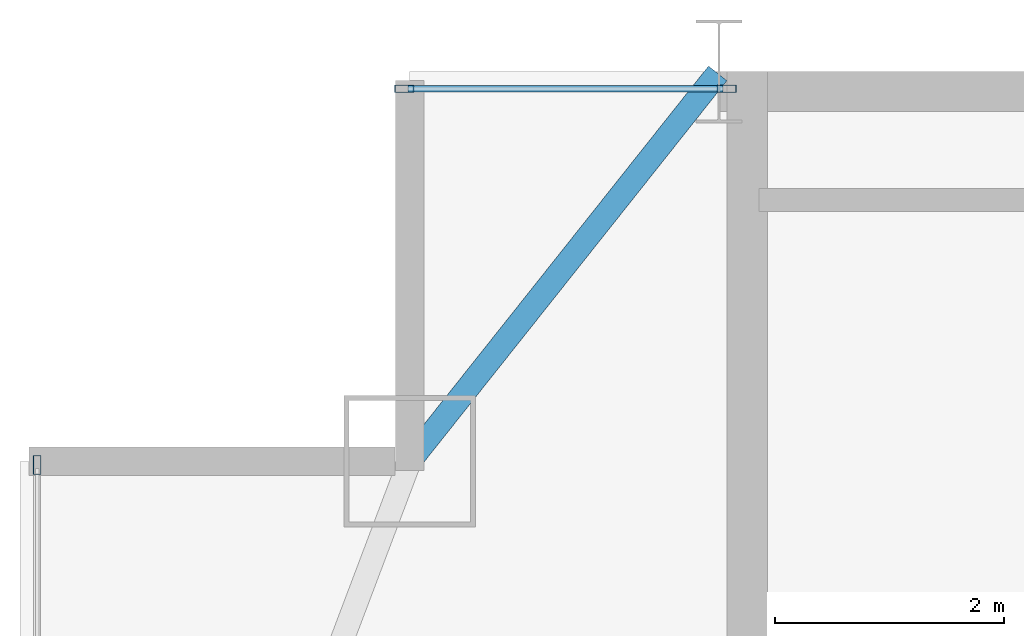
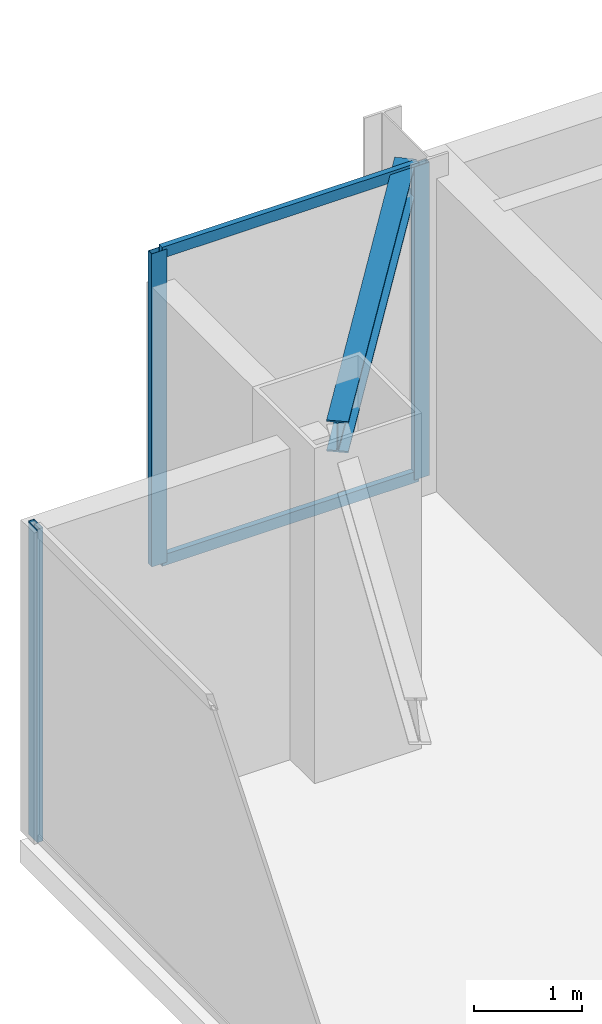
# One storey, part 18 of 27: 5 members, 1 beam, 2 elements without a shape of their own.
"""IFC4 building model written with IfcOpenShell, lengths in metres."""

import ifcopenshell
import ifcopenshell.guid

model = None  # the IFC model being written
_history = None  # IfcOwnerHistory: only IFC2X3 demands one
_inside = {}  # id of a spatial element -> (the spatial element, [elements in it])
_under = {}  # id of a project, library or spatial element -> (it, [spatial elements below it])
_declared = {}  # id of a project -> (the project, [libraries it declares])
_typed = {}  # id of a type object -> (the type object, [elements of that type])
_made_of = {}  # id of a material, layer set ... -> (it, [elements and type objects made of it])


def new_model(schema):
    """Start an empty IFC model of exactly this schema.

    Asked for "IFC4X3", IfcOpenShell would pick the latest addendum, in which some entities
    have other attributes; the version numbers below select the first issue.
    IFC2X3 requires an IfcOwnerHistory on every rooted entity: one is made here for all.
    """
    global model, _history
    if schema == "IFC4X3":
        model = ifcopenshell.file(schema_version=(4, 3, 0, 0))
    else:
        model = ifcopenshell.file(schema=schema)
    _inside.clear()
    _under.clear()
    _declared.clear()
    _typed.clear()
    _made_of.clear()
    _history = None
    if model.schema == "IFC2X3":
        org = make("IfcOrganization", Name="unknown")
        user = make(
            "IfcPersonAndOrganization",
            ThePerson=make("IfcPerson", FamilyName="unknown"),
            TheOrganization=org,
        )
        app = make(
            "IfcApplication",
            ApplicationDeveloper=org,
            Version="unknown",
            ApplicationFullName="unknown",
            ApplicationIdentifier="unknown",
        )
        _history = make(
            "IfcOwnerHistory",
            OwningUser=user,
            OwningApplication=app,
            ChangeAction="ADDED",
            CreationDate=0,
        )
    return model


def make(cls, **values):
    """One entity of the class cls with the attributes given. An attribute that is None is left unset."""
    return model.create_entity(
        cls, **{name: value for name, value in values.items() if value is not None}
    )


def rooted(cls, **values):
    """An entity with a GlobalId (a new one), such as an element, a storey or a relation."""
    return make(cls, GlobalId=ifcopenshell.guid.new(), OwnerHistory=_history, **values)


def si_unit(unit_type, name, prefix=None):
    """IfcSIUnit, for example si_unit("LENGTHUNIT", "METRE", prefix="MILLI")."""
    return make("IfcSIUnit", UnitType=unit_type, Prefix=prefix, Name=name)


def assignment(units):
    """IfcUnitAssignment: the units of a project."""
    return None if units is None else make("IfcUnitAssignment", Units=units)


def point(xyz):
    """IfcCartesianPoint."""
    return None if xyz is None else make("IfcCartesianPoint", Coordinates=xyz)


def direction(xyz):
    """IfcDirection."""
    return None if xyz is None else make("IfcDirection", DirectionRatios=xyz)


def frame(location, z_axis=None, x_axis=None):
    """IfcAxis2Placement3D, a coordinate frame: its origin and axes. An axis left out is left unset."""
    return make(
        "IfcAxis2Placement3D",
        Location=point(location),
        Axis=direction(z_axis),
        RefDirection=direction(x_axis),
    )


def frame_2d(location, x_axis=None):
    """IfcAxis2Placement2D, a coordinate frame in the plane: its origin and x axis."""
    return make(
        "IfcAxis2Placement2D", Location=point(location), RefDirection=direction(x_axis)
    )


def origin():
    """The frame at (0, 0, 0) with its axes left unset."""
    return frame((0.0, 0.0, 0.0))


def origin_2d():
    """The frame at (0, 0) in the plane with its x axis left unset."""
    return frame_2d((0.0, 0.0))


def place(relative_to, where):
    """IfcLocalPlacement: puts the frame where relative to a parent placement (None: the world)."""
    return make(
        "IfcLocalPlacement", PlacementRelTo=relative_to, RelativePlacement=where
    )


def context(
    kind, dimensions, precision=None, world=None, true_north=None, identifier=None
):
    """IfcGeometricRepresentationContext, for example the 3D "Model" context."""
    return make(
        "IfcGeometricRepresentationContext",
        ContextIdentifier=identifier,
        ContextType=kind,
        CoordinateSpaceDimension=dimensions,
        Precision=precision,
        WorldCoordinateSystem=world,
        TrueNorth=true_north,
    )


def subcontext(parent, identifier, kind, view, scale=None):
    """IfcGeometricRepresentationSubContext, for example "Body" below "Model"."""
    return make(
        "IfcGeometricRepresentationSubContext",
        ContextIdentifier=identifier,
        ContextType=kind,
        ParentContext=parent,
        TargetScale=scale,
        TargetView=view,
    )


def project(units=None, contexts=None):
    """IfcProject with its units and contexts."""
    return rooted(
        "IfcProject",
        Name="project",
        RepresentationContexts=contexts,
        UnitsInContext=assignment(units),
    )


def spatial(cls, under=None, at=None, **own):
    """A site, building, storey or space (cls), placed at a placement, below another one or the project."""
    s = rooted(cls, ObjectPlacement=at, **own)
    if under is not None:
        _under.setdefault(under.id(), (under, []))[1].append(s)
    return s


def profile(cls, at=None, kind="AREA", **sizes):
    """A parametric profile (cls). Its sizes go by their IFC names, for example OverallWidth=200.0."""
    return make(cls, ProfileType=kind, Position=at, **sizes)


def hollow_rectangle(**sizes):
    """IfcRectangleHollowProfileDef."""
    return profile("IfcRectangleHollowProfileDef", **sizes)


def i_section(**sizes):
    """IfcIShapeProfileDef."""
    return profile("IfcIShapeProfileDef", **sizes)


def extrude(swept, where, along, depth):
    """IfcExtrudedAreaSolid: the profile swept, set in the frame where, extruded along a direction by depth."""
    return make(
        "IfcExtrudedAreaSolid",
        SweptArea=swept,
        Position=where,
        ExtrudedDirection=direction(along),
        Depth=depth,
    )


def shape(context_of_items, identifier, shape_type, items):
    """IfcShapeRepresentation: the items that make up one representation, for example the "Body"."""
    return make(
        "IfcShapeRepresentation",
        ContextOfItems=context_of_items,
        RepresentationIdentifier=identifier,
        RepresentationType=shape_type,
        Items=items,
    )


def source(mapping_origin, context_of_items, identifier, shape_type, items):
    """IfcRepresentationMap: a shape defined once, which mapped items show again and again."""
    return make(
        "IfcRepresentationMap",
        MappingOrigin=mapping_origin,
        MappedRepresentation=shape(context_of_items, identifier, shape_type, items),
    )


def transform(
    local_origin,
    x_axis=None,
    y_axis=None,
    z_axis=None,
    scale=None,
    scale2=None,
    scale3=None,
    uniform=True,
):
    """IfcCartesianTransformationOperator3D, or its non-uniform kind. x_axis, y_axis, z_axis: its Axis1, 2, 3."""
    if uniform:
        return make(
            "IfcCartesianTransformationOperator3D",
            Axis1=direction(x_axis),
            Axis2=direction(y_axis),
            LocalOrigin=point(local_origin),
            Scale=scale,
            Axis3=direction(z_axis),
        )
    return make(
        "IfcCartesianTransformationOperator3DnonUniform",
        Axis1=direction(x_axis),
        Axis2=direction(y_axis),
        LocalOrigin=point(local_origin),
        Scale=scale,
        Axis3=direction(z_axis),
        Scale2=scale2,
        Scale3=scale3,
    )


def mapped(mapping_source, mapping_target):
    """IfcMappedItem: shows the shape of a source again, moved by a transform."""
    return make(
        "IfcMappedItem", MappingSource=mapping_source, MappingTarget=mapping_target
    )


def material(Name=None, Category=None):
    """IfcMaterial."""
    return make("IfcMaterial", Name=Name, Category=Category)


def layer(
    of_material, thickness, ventilated=None, Name=None, Category=None, Priority=None
):
    """IfcMaterialLayer: one layer of a wall or slab, of a material (None: an air gap)."""
    return make(
        "IfcMaterialLayer",
        Material=of_material,
        LayerThickness=thickness,
        IsVentilated=ventilated,
        Name=Name,
        Category=Category,
        Priority=Priority,
    )


def layer_set(layers, Name=None):
    """IfcMaterialLayerSet."""
    return make("IfcMaterialLayerSet", MaterialLayers=layers, LayerSetName=Name)


def material_profile(
    of_material, cross_section, Name=None, Category=None, Priority=None
):
    """IfcMaterialProfile: a cross section and its material."""
    return make(
        "IfcMaterialProfile",
        Name=Name,
        Material=of_material,
        Profile=cross_section,
        Priority=Priority,
        Category=Category,
    )


def profile_set(profiles, Name=None, composite=None):
    """IfcMaterialProfileSet."""
    return make(
        "IfcMaterialProfileSet",
        Name=Name,
        MaterialProfiles=profiles,
        CompositeProfile=composite,
    )


def made_of(thing, what):
    """Note that an element or type object is made of a material, layer set ...; save() writes the relation."""
    if what is not None:
        _made_of.setdefault(what.id(), (what, []))[1].append(thing)
    return thing


def type_object(cls, material=None, **own):
    """A type object (cls), such as IfcWallType, which elements share."""
    return made_of(rooted(cls, **own), material)


def type_shapes(of_type, sources):
    """Give a type object the sources (RepresentationMaps) that its elements show as mapped items."""
    of_type.RepresentationMaps = sources


def element(
    cls,
    number,
    at=None,
    inside=None,
    cuts=None,
    type_object=None,
    material=None,
    context=None,
    identifier="Body",
    shape_type=None,
    held_by="IfcProductDefinitionShape",
    body=None,
    shapes=None,
    **own,
):
    """One element of the class cls, such as IfcWall. Its Tag is "e" and its number.

    at: its placement. inside: the storey or other place that contains it. cuts: it is an
    opening in that element (IfcRelVoidsElement). A single representation is given by context,
    identifier, shape_type and body (its items); several are given by shapes. held_by: the class
    of the entity that holds the representations. save() writes the other relations.
    """
    e = rooted(cls, Tag="e%d" % number, ObjectPlacement=at, **own)
    if body is not None:
        shapes = [shape(context, identifier, shape_type, body)]
    if shapes is not None:
        e.Representation = make(held_by, Representations=shapes)
    if inside is not None:
        _inside.setdefault(inside.id(), (inside, []))[1].append(e)
    if cuts is not None:
        rooted(
            "IfcRelVoidsElement", RelatingBuildingElement=cuts, RelatedOpeningElement=e
        )
    if type_object is not None:
        _typed.setdefault(type_object.id(), (type_object, []))[1].append(e)
    return made_of(e, material)


def aggregate(whole, parts):
    """IfcRelAggregates: a whole, such as a stair, and the parts it consists of."""
    return rooted("IfcRelAggregates", RelatingObject=whole, RelatedObjects=parts)


def save(model, path):
    """Write the relations noted so far, then the file.

    IfcRelAggregates (storeys below a building ...), IfcRelContainedInSpatialStructure (elements
    in a storey), IfcRelDefinesByType, IfcRelAssociatesMaterial and IfcRelDeclares: one each for
    every whole, place, type object, material and project.
    """
    for whole, parts in _under.values():
        aggregate(whole, parts)
    for where, things in _inside.values():
        rooted(
            "IfcRelContainedInSpatialStructure",
            RelatedElements=things,
            RelatingStructure=where,
        )
    for kind, things in _typed.values():
        rooted("IfcRelDefinesByType", RelatedObjects=things, RelatingType=kind)
    for what, things in _made_of.values():
        rooted("IfcRelAssociatesMaterial", RelatedObjects=things, RelatingMaterial=what)
    for by, libraries in _declared.values():
        rooted("IfcRelDeclares", RelatingContext=by, RelatedDefinitions=libraries)
    model.write(path)


model = new_model("IFC4")

# Units and contexts
model_context = context("Model", 3, precision=1e-05, world=origin(), true_north=direction((0.0, 1.0)))
body_context = subcontext(model_context, "Body", "Model", "MODEL_VIEW")
ifc_project = project(units=[si_unit("LENGTHUNIT", "METRE"), si_unit("AREAUNIT", "SQUARE_METRE"), si_unit("VOLUMEUNIT", "CUBIC_METRE"), si_unit("PLANEANGLEUNIT", "RADIAN"), si_unit("MASSUNIT", "GRAM", prefix="KILO")], contexts=[model_context])

# Site, building, storey
site_placement = place(None, origin())
site = spatial("IfcSite", under=ifc_project, at=site_placement, CompositionType="ELEMENT")
building_placement = place(site_placement, origin())
building = spatial("IfcBuilding", under=site, at=building_placement, Name="Varnel Quay Broadcast Tower", CompositionType="ELEMENT")
storey_placement = place(building_placement, frame((0.0, 0.0, 203.60009765625)))
storey = spatial("IfcBuildingStorey", under=building, at=storey_placement, Name="L50", CompositionType="ELEMENT", Elevation=203.60009765625)

# Beam
ifc_material_1 = material(Name="Structural Steel CSA G40.21 350W", Category="steel")
ifc_material_profile_1 = material_profile(ifc_material_1, i_section(OverallWidth=0.205078125, OverallDepth=0.35400390625, WebThickness=0.009521484375, FlangeThickness=0.016845703125, FilletRadius=0.012939453125, at=origin_2d()), Name="W360X79")
ifc_profile_set_1 = profile_set([ifc_material_profile_1], Name="Structural Steel CSA G40.21 350W")
beam_type = type_object("IfcBeamType", Name="Beam_W360X79", PredefinedType="SPANDREL", material=ifc_profile_set_1)
shared_shape_1 = source(origin(), body_context, "Body", "SweptSolid", [
    extrude(i_section(OverallWidth=0.205078125, OverallDepth=0.35400390625, WebThickness=0.009521484375, FlangeThickness=0.016845703125, FilletRadius=0.012939453125, at=origin_2d()), origin(), (0.0, 0.0, 1.0), 4.301513671875),
])
type_shapes(beam_type, [shared_shape_1])
beam_placement = place(storey_placement, frame((12.912353515625, 43.415771484375, 3.372802734375), z_axis=(0.621936399401, 0.783067758946, 0.0), x_axis=(-0.783067758946, 0.621936399401, 0.0)))
element("IfcBeam", 1, at=beam_placement, inside=storey, type_object=beam_type, Name="L50 NW Tie Spandrel", PredefinedType="SPANDREL", context=body_context, shape_type="MappedRepresentation", body=[
    mapped(shared_shape_1, transform((0.0, 0.0, 0.0), x_axis=(1.0, 0.0, 0.0), y_axis=(0.0, 1.0, 0.0), z_axis=(0.0, 0.0, 1.0), scale=1.0)),
])

# Curtain wall, member
ifc_material_2 = material(Name="Anodised Bronze Aluminium 6063-T6", Category="aluminium")
ifc_layer = layer(ifc_material_2, 0.18994140625, Name="Anodised Bronze Aluminium 6063-T6")
ifc_layer_set = layer_set([ifc_layer], Name="Anodised Bronze Aluminium 6063-T6")
curtain_wall_type = type_object("IfcCurtainWallType", Name="CW_UpperTower", PredefinedType="NOTDEFINED", material=ifc_layer_set)
curtain_wall_1_placement = place(storey_placement, origin())
curtain_wall_1 = element("IfcCurtainWall", 2, at=curtain_wall_1_placement, inside=storey, type_object=curtain_wall_type, Name="L50 West Unitised Curtain Wall", PredefinedType="NOTDEFINED")
ifc_material_profile_2 = material_profile(ifc_material_2, hollow_rectangle(XDim=0.06494140625, YDim=0.1650390625, WallThickness=0.00341796875, at=origin_2d()), Name="ALU65X165X3.5")
ifc_profile_set_2 = profile_set([ifc_material_profile_2], Name="Anodised Bronze Aluminium 6063-T6")
member_type_1 = type_object("IfcMemberType", Name="Mull_CWS-03", PredefinedType="MULLION", material=ifc_profile_set_2)
shared_shape_2 = source(origin(), body_context, "Body", "SweptSolid", [
    extrude(hollow_rectangle(XDim=0.06494140625, YDim=0.1650390625, WallThickness=0.00341796875, at=origin_2d()), origin(), (0.0, 0.0, 1.0), 3.5498046875),
])
type_shapes(member_type_1, [shared_shape_2])
member_1_placement = place(storey_placement, frame((9.64990234375, 43.367431640625, 0.0), z_axis=(0.0, 0.0, 1.0), x_axis=(-1.0, 0.0, 0.0)))
member_1 = element("IfcMember", 3, at=member_1_placement, type_object=member_type_1, Name="CWS-03 mullion 3", PredefinedType="MULLION", context=body_context, shape_type="MappedRepresentation", body=[
    mapped(shared_shape_2, transform((0.0, 0.0, 0.0), x_axis=(1.0, 0.0, 0.0), y_axis=(0.0, 1.0, 0.0), z_axis=(0.0, 0.0, 1.0), scale=1.0)),
])
aggregate(curtain_wall_1, [member_1])

# Curtain wall, members
curtain_wall_2_placement = place(storey_placement, origin())
curtain_wall_2 = element("IfcCurtainWall", 4, at=curtain_wall_2_placement, inside=storey, type_object=curtain_wall_type, Name="L50 NW Wing Curtain Wall", PredefinedType="NOTDEFINED")
member_2_placement = place(storey_placement, frame((12.8525390625, 46.64990234375, 0.0), z_axis=(0.0, 0.0, 1.0), x_axis=(0.0, 1.0, 0.0)))
member_2 = element("IfcMember", 5, at=member_2_placement, type_object=member_type_1, Name="CWS-03 mullion 1", PredefinedType="MULLION", context=body_context, shape_type="MappedRepresentation", body=[
    mapped(shared_shape_2, transform((0.0, 0.0, 0.0), x_axis=(1.0, 0.0, 0.0), y_axis=(0.0, 1.0, 0.0), z_axis=(0.0, 0.0, 1.0), scale=1.0)),
])
member_3_placement = place(storey_placement, frame((15.66748046875, 46.64990234375, 0.0), z_axis=(0.0, 0.0, 1.0), x_axis=(0.0, 1.0, 0.0)))
member_3 = element("IfcMember", 6, at=member_3_placement, type_object=member_type_1, Name="CWS-03 mullion 2", PredefinedType="MULLION", context=body_context, shape_type="MappedRepresentation", body=[
    mapped(shared_shape_2, transform((0.0, 0.0, 0.0), x_axis=(1.0, 0.0, 0.0), y_axis=(0.0, 1.0, 0.0), z_axis=(0.0, 0.0, 1.0), scale=1.0)),
])
ifc_material_profile_3 = material_profile(ifc_material_2, hollow_rectangle(XDim=0.06005859375, YDim=0.125, WallThickness=0.0029296875, at=origin_2d()), Name="ALU60X125X3")
ifc_profile_set_3 = profile_set([ifc_material_profile_3], Name="Anodised Bronze Aluminium 6063-T6")
member_type_2 = type_object("IfcMemberType", Name="Tran_CWS-03", PredefinedType="USERDEFINED", material=ifc_profile_set_3)
shared_shape_3 = source(origin(), body_context, "Body", "SweptSolid", [
    extrude(hollow_rectangle(XDim=0.06005859375, YDim=0.125, WallThickness=0.0029296875, at=origin_2d()), origin(), (0.0, 0.0, 1.0), 2.75),
])
type_shapes(member_type_2, [shared_shape_3])
member_4_placement = place(storey_placement, frame((12.885009765625, 46.64990234375, 0.02978515625), z_axis=(1.0, 0.0, 0.0), x_axis=(0.0, 1.0, 0.0)))
member_4 = element("IfcMember", 7, at=member_4_placement, type_object=member_type_2, Name="CWS-03 transom 1.1", ObjectType="TRANSOM", PredefinedType="USERDEFINED", context=body_context, shape_type="MappedRepresentation", body=[
    mapped(shared_shape_3, transform((0.0, 0.0, 0.0), x_axis=(1.0, 0.0, 0.0), y_axis=(0.0, 1.0, 0.0), z_axis=(0.0, 0.0, 1.0), scale=1.0)),
])
member_5_placement = place(storey_placement, frame((12.885009765625, 46.64990234375, 3.52001953125), z_axis=(1.0, 0.0, 0.0), x_axis=(0.0, 1.0, 0.0)))
member_5 = element("IfcMember", 8, at=member_5_placement, type_object=member_type_2, Name="CWS-03 transom 1.2", ObjectType="TRANSOM", PredefinedType="USERDEFINED", context=body_context, shape_type="MappedRepresentation", body=[
    mapped(shared_shape_3, transform((0.0, 0.0, 0.0), x_axis=(1.0, 0.0, 0.0), y_axis=(0.0, 1.0, 0.0), z_axis=(0.0, 0.0, 1.0), scale=1.0)),
])
aggregate(curtain_wall_2, [member_2, member_3, member_4, member_5])

save(model, "model.ifc")
